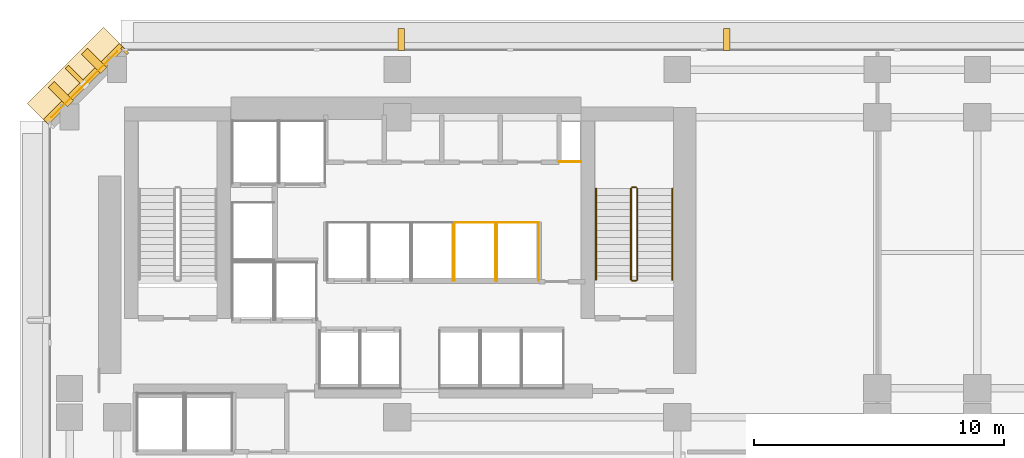
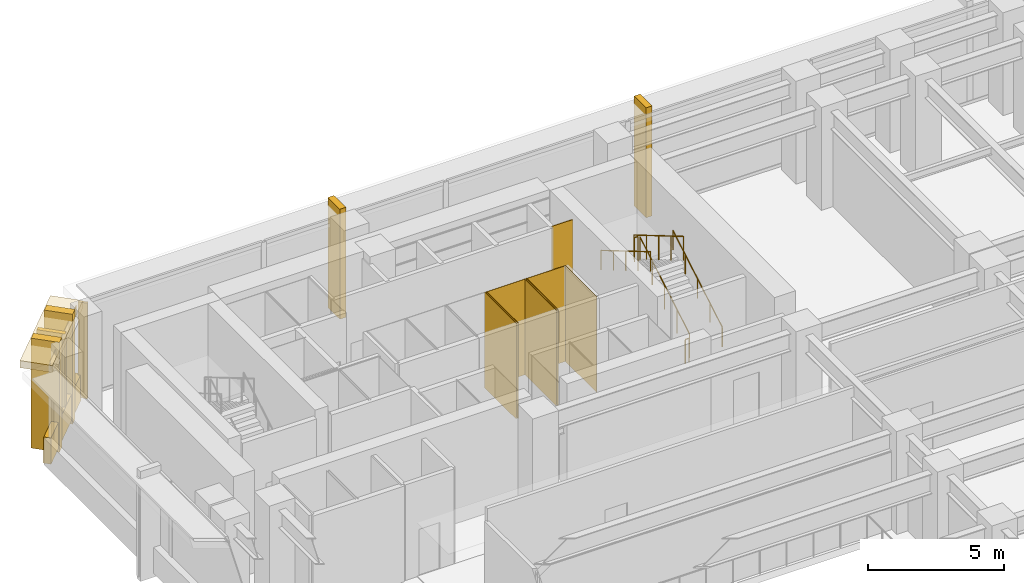
# One storey, part 14 of 16: 16 coverings, 6 railings, 1 shading device.
"""IFC4 building model written with IfcOpenShell, lengths in metres."""

from ifc_helpers import new_model, si_unit, direction, frame, origin, origin_2d, place, context, subcontext, project, spatial, polyline, rectangle, circle, outline, extrude, material, layer, layer_set, material_profile, profile_set, type_object, element, save


model = new_model("IFC4")

# Units and contexts
model_context = context("Model", 3, precision=1e-05, world=origin(), true_north=direction((0.0, 1.0)))
body_context = subcontext(model_context, "Body", "Model", "MODEL_VIEW")
ifc_project = project(units=[si_unit("LENGTHUNIT", "METRE"), si_unit("AREAUNIT", "SQUARE_METRE"), si_unit("VOLUMEUNIT", "CUBIC_METRE"), si_unit("PLANEANGLEUNIT", "RADIAN"), si_unit("MASSUNIT", "GRAM", prefix="KILO")], contexts=[model_context])

# Site, building, storey
site_placement = place(None, origin())
site = spatial("IfcSite", under=ifc_project, at=site_placement, CompositionType="ELEMENT")
building_placement = place(site_placement, origin())
building = spatial("IfcBuilding", under=site, at=building_placement, Name="Kefirva Bronze Tower", CompositionType="ELEMENT")
storey_placement = place(building_placement, frame((0.0, 0.0, 16.5)))
storey = spatial("IfcBuildingStorey", under=building, at=storey_placement, Name="L03", CompositionType="ELEMENT", Elevation=16.5)

# Coverings
ifc_material_1 = material(Name="Bronze anodised aluminium", Category="aluminium")
ifc_layer_1 = layer(ifc_material_1, 0.02001953125, Name="Bronze anodised aluminium")
ifc_layer_set_1 = layer_set([ifc_layer_1], Name="Bronze anodised aluminium")
covering_type_1 = type_object("IfcCoveringType", Name="Anodised Bronze Spandrel Cladding 20mm", PredefinedType="CLADDING", material=ifc_layer_set_1)
covering_1_placement = place(storey_placement, frame((-0.507080078125, 46.507080078125, 3.880126953125), z_axis=(0.0, 0.0, 1.0), x_axis=(-0.707106781187, -0.707106781187, 0.0)))
element("IfcCovering", 1, at=covering_1_placement, inside=storey, type_object=covering_type_1, Name="L03 Bronze Spandrel Cladding 6", PredefinedType="CLADDING", context=body_context, shape_type="SweptSolid", body=[
    extrude(rectangle(XDim=3.719482421875, YDim=0.02001953125, at=origin_2d()), origin(), (0.0, 0.0, 1.0), 0.39990234375),
])
covering_2_placement = place(storey_placement, frame((1.1025390625, 47.847900390625, 0.0), z_axis=(0.0, 0.0, 1.0), x_axis=(-0.707106781187, -0.707106781187, 0.0)))
element("IfcCovering", 2, at=covering_2_placement, inside=storey, type_object=covering_type_1, Name="L03 Facade Joint Closure Panel 6S", PredefinedType="CLADDING", context=body_context, shape_type="SweptSolid", body=[
    extrude(rectangle(XDim=0.10009765625, YDim=0.360107421875, at=origin_2d()), origin(), (0.0, 0.0, 1.0), 4.300048828125),
])
covering_3_placement = place(storey_placement, frame((-0.5283203125, 46.5283203125, -0.16015625), z_axis=(0.0, 0.0, 1.0), x_axis=(-0.707106781187, -0.707106781187, 0.0)))
element("IfcCovering", 3, at=covering_3_placement, inside=storey, type_object=covering_type_1, Name="L03 Streamline Horizontal Spandrel Band 9", PredefinedType="CLADDING", context=body_context, shape_type="SweptSolid", body=[
    extrude(rectangle(XDim=4.28271484375, YDim=0.280029296875, at=origin_2d()), origin(), (0.0, 0.0, 1.0), 1.179931640625),
])
covering_4_placement = place(storey_placement, origin())
element("IfcCovering", 4, at=covering_4_placement, inside=storey, type_object=covering_type_1, Name="L03 Lift MP3 Hoistway Liner E", PredefinedType="CLADDING", context=body_context, shape_type="SweptSolid", body=[
    extrude(outline(polyline([(14.219970703125, 38.659912109375), (14.239990234375, 38.659912109375), (14.239990234375, 41.0), (14.219970703125, 41.0), (14.219970703125, 38.659912109375)])), origin(), (0.0, 0.0, 1.0), 4.300048828125),
])
covering_5_placement = place(storey_placement, origin())
element("IfcCovering", 5, at=covering_5_placement, inside=storey, type_object=covering_type_1, Name="L03 Lift MP4 Hoistway Liner N", PredefinedType="CLADDING", context=body_context, shape_type="SweptSolid", body=[
    extrude(outline(polyline([(14.280029296875, 40.969970703125), (15.949951171875, 40.969970703125), (15.949951171875, 40.989990234375), (14.280029296875, 40.989990234375), (14.280029296875, 40.969970703125)])), origin(), (0.0, 0.0, 1.0), 4.300048828125),
])
covering_6_placement = place(storey_placement, origin())
element("IfcCovering", 6, at=covering_6_placement, inside=storey, type_object=covering_type_1, Name="L03 Lift MP4 Hoistway Liner W", PredefinedType="CLADDING", context=body_context, shape_type="SweptSolid", body=[
    extrude(outline(polyline([(14.2900390625, 38.659912109375), (14.31005859375, 38.659912109375), (14.31005859375, 41.0), (14.2900390625, 41.0), (14.2900390625, 38.659912109375)])), origin(), (0.0, 0.0, 1.0), 4.300048828125),
])
covering_7_placement = place(storey_placement, origin())
element("IfcCovering", 7, at=covering_7_placement, inside=storey, type_object=covering_type_1, Name="L03 Lift MP4 Hoistway Liner E", PredefinedType="CLADDING", context=body_context, shape_type="SweptSolid", body=[
    extrude(outline(polyline([(15.919921875, 38.659912109375), (15.93994140625, 38.659912109375), (15.93994140625, 41.0), (15.919921875, 41.0), (15.919921875, 38.659912109375)])), origin(), (0.0, 0.0, 1.0), 4.300048828125),
])
covering_8_placement = place(storey_placement, origin())
element("IfcCovering", 8, at=covering_8_placement, inside=storey, type_object=covering_type_1, Name="L03 Lift HP2 Hoistway Liner N", PredefinedType="CLADDING", context=body_context, shape_type="SweptSolid", body=[
    extrude(outline(polyline([(15.97998046875, 40.969970703125), (17.669921875, 40.969970703125), (17.669921875, 40.989990234375), (15.97998046875, 40.989990234375), (15.97998046875, 40.969970703125)])), origin(), (0.0, 0.0, 1.0), 4.300048828125),
])
covering_9_placement = place(storey_placement, origin())
element("IfcCovering", 9, at=covering_9_placement, inside=storey, type_object=covering_type_1, Name="L03 Lift HP2 Hoistway Liner W", PredefinedType="CLADDING", context=body_context, shape_type="SweptSolid", body=[
    extrude(outline(polyline([(15.989990234375, 38.659912109375), (16.010009765625, 38.659912109375), (16.010009765625, 41.0), (15.989990234375, 41.0), (15.989990234375, 38.659912109375)])), origin(), (0.0, 0.0, 1.0), 4.300048828125),
])
covering_10_placement = place(storey_placement, origin())
element("IfcCovering", 10, at=covering_10_placement, inside=storey, type_object=covering_type_1, Name="L03 Lift HP2 Hoistway Liner E", PredefinedType="CLADDING", context=body_context, shape_type="SweptSolid", body=[
    extrude(outline(polyline([(17.639892578125, 38.659912109375), (17.659912109375, 38.659912109375), (17.659912109375, 41.0), (17.639892578125, 41.0), (17.639892578125, 38.659912109375)])), origin(), (0.0, 0.0, 1.0), 4.300048828125),
])
covering_11_placement = place(storey_placement, origin())
element("IfcCovering", 11, at=covering_11_placement, inside=storey, type_object=covering_type_1, Name="L03 Core MEP Riser Shaft Liner South", PredefinedType="CLADDING", context=body_context, shape_type="SweptSolid", body=[
    extrude(outline(polyline([(18.47998046875, 43.39990234375), (19.360107421875, 43.39990234375), (19.360107421875, 43.429931640625), (18.47998046875, 43.429931640625), (18.47998046875, 43.39990234375)])), origin(), (0.0, 0.0, 1.0), 4.300048828125),
])

# Shading device
ifc_material_profile = material_profile(ifc_material_1, rectangle(XDim=0.179931640625, YDim=1.080078125, at=origin_2d()), Name="BRONZE BUTTRESS FIN 180x1080")
ifc_profile_set = profile_set([ifc_material_profile], Name="Bronze anodised aluminium")
shading_device_type = type_object("IfcShadingDeviceType", Name="Chamfered Corner Buttress Bronze Fin 1080mm", PredefinedType="USERDEFINED", material=ifc_profile_set)
shading_device_placement = place(storey_placement, frame((-0.8251953125, 46.8251953125, -0.139892578125), z_axis=(0.0, 0.0, 1.0), x_axis=(-0.707106781187, -0.707106781187, 0.0)))
element("IfcShadingDevice", 12, at=shading_device_placement, inside=storey, type_object=shading_device_type, Name="L03 Chamfered Corner Buttress Fin 28", ObjectType="VERTICAL FIN", PredefinedType="USERDEFINED", context=body_context, shape_type="SweptSolid", body=[
    extrude(rectangle(XDim=0.179931640625, YDim=1.080078125, at=origin_2d()), origin(), (0.0, 0.0, 1.0), 4.43994140625),
])

# Railings
ifc_material_2 = material(Name="Stainless steel 316", Category="steel")
railing_type_1 = type_object("IfcRailingType", Name="Interior Stair Guardrail 1100mm", PredefinedType="GUARDRAIL", material=ifc_material_2)
railing_1_placement = place(storey_placement, frame((21.60009765625, 38.699951171875, 0.1650390625)))
element("IfcRailing", 13, at=railing_1_placement, inside=storey, type_object=railing_type_1, Name="L03 ST-2 stair guard 1", PredefinedType="GUARDRAIL", context=body_context, shape_type="SweptSolid", body=[
    extrude(circle(Radius=0.02392578125, at=origin_2d()), frame((0.0, 0.0, 1.076171875), z_axis=(0.0, 0.861544779993, 0.507681585313), x_axis=(-1.0, 0.0, 0.0)), (0.0, 0.0, 1.0), 4.22509765625),
    extrude(circle(Radius=0.02099609375, at=origin_2d()), origin(), (0.0, 0.0, 1.0), 1.052001953125),
    extrude(circle(Radius=0.02099609375, at=origin_2d()), frame((0.0, 0.91015625, 0.5361328125)), (0.0, 0.0, 1.0), 1.052001953125),
    extrude(circle(Radius=0.02099609375, at=origin_2d()), frame((0.0, 1.820068359375, 1.072509765625)), (0.0, 0.0, 1.0), 1.052001953125),
    extrude(circle(Radius=0.02099609375, at=origin_2d()), frame((0.0, 2.72998046875, 1.60888671875)), (0.0, 0.0, 1.0), 1.052001953125),
    extrude(circle(Radius=0.02099609375, at=origin_2d()), frame((0.0, 3.64013671875, 2.14501953125)), (0.0, 0.0, 1.0), 1.052001953125),
])
railing_2_placement = place(storey_placement, frame((21.550048828125, 42.389892578125, 2.31005859375)))
element("IfcRailing", 14, at=railing_2_placement, inside=storey, type_object=railing_type_1, Name="L03 ST-2 stair guard 2", PredefinedType="GUARDRAIL", context=body_context, shape_type="SweptSolid", body=[
    extrude(circle(Radius=0.02392578125, at=origin_2d()), frame((0.0, 0.0, 1.076171875), z_axis=(-1.0, 0.0, 0.0), x_axis=(0.0, -1.0, 0.0)), (0.0, 0.0, 1.0), 0.150146484375),
    extrude(circle(Radius=0.02099609375, at=origin_2d()), origin(), (0.0, 0.0, 1.0), 1.052001953125),
    extrude(circle(Radius=0.02099609375, at=origin_2d()), frame((-0.150146484375, 0.0, 0.0)), (0.0, 0.0, 1.0), 1.052001953125),
])
railing_3_placement = place(storey_placement, frame((21.35009765625, 42.340087890625, 2.47509765625)))
element("IfcRailing", 15, at=railing_3_placement, inside=storey, type_object=railing_type_1, Name="L03 ST-2 stair guard 3", PredefinedType="GUARDRAIL", context=body_context, shape_type="SweptSolid", body=[
    extrude(circle(Radius=0.02392578125, at=origin_2d()), frame((0.0, 0.0, 1.076171875), z_axis=(0.0, -0.861544779993, 0.507681585313), x_axis=(1.0, 0.0, 0.0)), (0.0, 0.0, 1.0), 4.22509765625),
    extrude(circle(Radius=0.02099609375, at=origin_2d()), origin(), (0.0, 0.0, 1.0), 1.052001953125),
    extrude(circle(Radius=0.02099609375, at=origin_2d()), frame((0.0, -0.91015625, 0.5361328125)), (0.0, 0.0, 1.0), 1.052001953125),
    extrude(circle(Radius=0.02099609375, at=origin_2d()), frame((0.0, -1.820068359375, 1.072509765625)), (0.0, 0.0, 1.0), 1.052001953125),
    extrude(circle(Radius=0.02099609375, at=origin_2d()), frame((0.0, -2.72998046875, 1.60888671875)), (0.0, 0.0, 1.0), 1.052001953125),
    extrude(circle(Radius=0.02099609375, at=origin_2d()), frame((0.0, -3.64013671875, 2.14501953125)), (0.0, 0.0, 1.0), 1.052001953125),
])
railing_4_placement = place(storey_placement, frame((21.550048828125, 38.64990234375, 0.0)))
element("IfcRailing", 16, at=railing_4_placement, inside=storey, type_object=railing_type_1, Name="L03 ST-2 stair guard 4", PredefinedType="GUARDRAIL", context=body_context, shape_type="SweptSolid", body=[
    extrude(circle(Radius=0.02392578125, at=origin_2d()), frame((0.0, 0.0, 1.076171875), z_axis=(-1.0, 0.0, 0.0), x_axis=(0.0, -1.0, 0.0)), (0.0, 0.0, 1.0), 0.150146484375),
    extrude(circle(Radius=0.02099609375, at=origin_2d()), origin(), (0.0, 0.0, 1.0), 1.052001953125),
    extrude(circle(Radius=0.02099609375, at=origin_2d()), frame((-0.150146484375, 0.0, 0.0)), (0.0, 0.0, 1.0), 1.052001953125),
])
railing_type_2 = type_object("IfcRailingType", Name="Stair Pitch Handrail 900mm", PredefinedType="HANDRAIL", material=ifc_material_2)
railing_5_placement = place(storey_placement, frame((23.0, 38.699951171875, 0.1650390625)))
element("IfcRailing", 17, at=railing_5_placement, inside=storey, type_object=railing_type_2, Name="L03 ST-2 stair handrail 1", PredefinedType="HANDRAIL", context=body_context, shape_type="SweptSolid", body=[
    extrude(circle(Radius=0.02392578125, at=origin_2d()), frame((0.0, 0.0, 0.8759765625), z_axis=(0.0, 0.861544779993, 0.507681585313), x_axis=(-1.0, 0.0, 0.0)), (0.0, 0.0, 1.0), 4.22509765625),
    extrude(circle(Radius=0.02099609375, at=origin_2d()), origin(), (0.0, 0.0, 1.0), 0.851806640625),
    extrude(circle(Radius=0.02099609375, at=origin_2d()), frame((0.0, 0.91015625, 0.5361328125)), (0.0, 0.0, 1.0), 0.851806640625),
    extrude(circle(Radius=0.02099609375, at=origin_2d()), frame((0.0, 1.820068359375, 1.072509765625)), (0.0, 0.0, 1.0), 0.851806640625),
    extrude(circle(Radius=0.02099609375, at=origin_2d()), frame((0.0, 2.72998046875, 1.60888671875)), (0.0, 0.0, 1.0), 0.851806640625),
    extrude(circle(Radius=0.02099609375, at=origin_2d()), frame((0.0, 3.64013671875, 2.14501953125)), (0.0, 0.0, 1.0), 0.851806640625),
])
railing_6_placement = place(storey_placement, frame((19.949951171875, 42.340087890625, 2.47509765625)))
element("IfcRailing", 18, at=railing_6_placement, inside=storey, type_object=railing_type_2, Name="L03 ST-2 stair handrail 2", PredefinedType="HANDRAIL", context=body_context, shape_type="SweptSolid", body=[
    extrude(circle(Radius=0.02392578125, at=origin_2d()), frame((0.0, 0.0, 0.8759765625), z_axis=(0.0, -0.861544779993, 0.507681585313), x_axis=(1.0, 0.0, 0.0)), (0.0, 0.0, 1.0), 4.22509765625),
    extrude(circle(Radius=0.02099609375, at=origin_2d()), origin(), (0.0, 0.0, 1.0), 0.851806640625),
    extrude(circle(Radius=0.02099609375, at=origin_2d()), frame((0.0, -0.91015625, 0.5361328125)), (0.0, 0.0, 1.0), 0.851806640625),
    extrude(circle(Radius=0.02099609375, at=origin_2d()), frame((0.0, -1.820068359375, 1.072509765625)), (0.0, 0.0, 1.0), 0.851806640625),
    extrude(circle(Radius=0.02099609375, at=origin_2d()), frame((0.0, -2.72998046875, 1.60888671875)), (0.0, 0.0, 1.0), 0.851806640625),
    extrude(circle(Radius=0.02099609375, at=origin_2d()), frame((0.0, -3.64013671875, 2.14501953125)), (0.0, 0.0, 1.0), 0.851806640625),
])

# Coverings
ifc_layer_2 = layer(ifc_material_1, 0.179931640625, Name="Bronze anodised aluminium")
ifc_layer_set_2 = layer_set([ifc_layer_2], Name="Bronze anodised aluminium")
covering_type_2 = type_object("IfcCoveringType", Name="Streamline Bronze Sunshade Eyebrow Cladding 180mm", PredefinedType="CLADDING", material=ifc_layer_set_2)
covering_12_placement = place(storey_placement, frame((-0.8251953125, 46.8251953125, 3.97998046875), z_axis=(0.0, 0.0, 1.0), x_axis=(-0.707106781187, -0.707106781187, 0.0)))
element("IfcCovering", 19, at=covering_12_placement, inside=storey, type_object=covering_type_2, Name="L03 Streamline Bronze Sunshade Eyebrow 9", PredefinedType="CLADDING", context=body_context, shape_type="SweptSolid", body=[
    extrude(rectangle(XDim=4.322509765625, YDim=1.239990234375, at=origin_2d()), origin(), (0.0, 0.0, 1.0), 0.320068359375),
])
ifc_layer_3 = layer(ifc_material_1, 0.260009765625, Name="Bronze anodised aluminium")
ifc_layer_set_3 = layer_set([ifc_layer_3], Name="Bronze anodised aluminium")
covering_type_3 = type_object("IfcCoveringType", Name="Unbroken Bronze Buttress Fin Cladding 260mm", PredefinedType="CLADDING", material=ifc_layer_set_3)
for number, where, z_axis, x_axis, name in (
    (20, (25.179931640625, 48.300048828125, -0.320068359375), (0.0, 0.0, 1.0), (-1.0, 0.0, 0.0), "L03 Unbroken Vertical Bronze Rib Fin 25"),
    (21, (12.159912109375, 48.300048828125, -0.320068359375), (0.0, 0.0, 1.0), (-1.0, 0.0, 0.0), "L03 Unbroken Vertical Bronze Rib Fin 26"),
):
    element("IfcCovering", number, at=place(storey_placement, frame(where, z_axis=z_axis, x_axis=x_axis)), inside=storey, type_object=covering_type_3, Name=name, PredefinedType="CLADDING", context=body_context, shape_type="SweptSolid", body=[
        extrude(rectangle(XDim=0.260009765625, YDim=0.8798828125, at=origin_2d()), origin(), (0.0, 0.0, 1.0), 4.93994140625),
    ])
for number, where, z_axis, x_axis, name in (
    (22, (-0.122802734375, 47.44287109375, -0.320068359375), (0.0, 0.0, 1.0), (-0.707106781187, -0.707106781187, 0.0), "L03 Chamfered Corner Buttress Fin Cladding 27"),
    (23, (-1.44287109375, 46.122802734375, -0.320068359375), (0.0, 0.0, 1.0), (-0.707106781187, -0.707106781187, 0.0), "L03 Chamfered Corner Buttress Fin Cladding 28"),
):
    element("IfcCovering", number, at=place(storey_placement, frame(where, z_axis=z_axis, x_axis=x_axis)), inside=storey, type_object=covering_type_3, Name=name, PredefinedType="CLADDING", context=body_context, shape_type="SweptSolid", body=[
        extrude(rectangle(XDim=0.340087890625, YDim=1.080078125, at=origin_2d()), origin(), (0.0, 0.0, 1.0), 4.93994140625),
    ])

save(model, "model.ifc")
